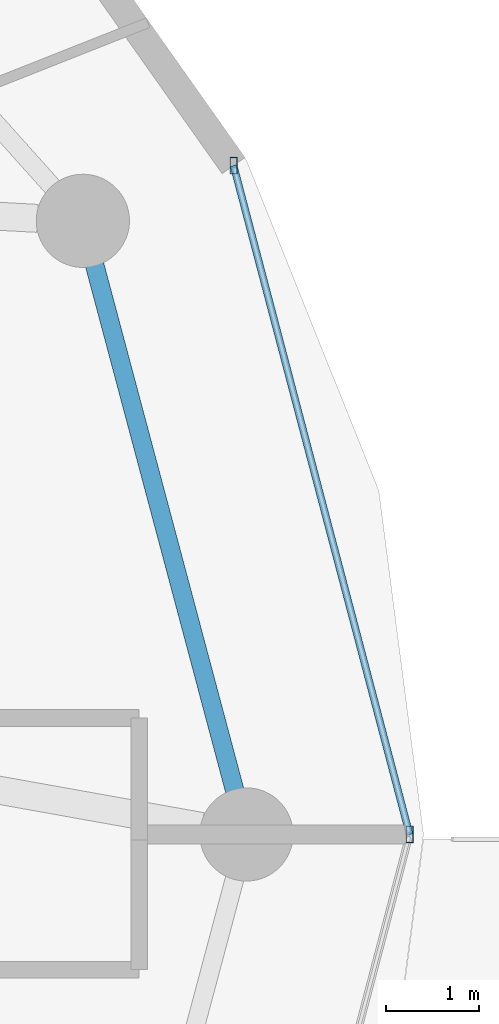
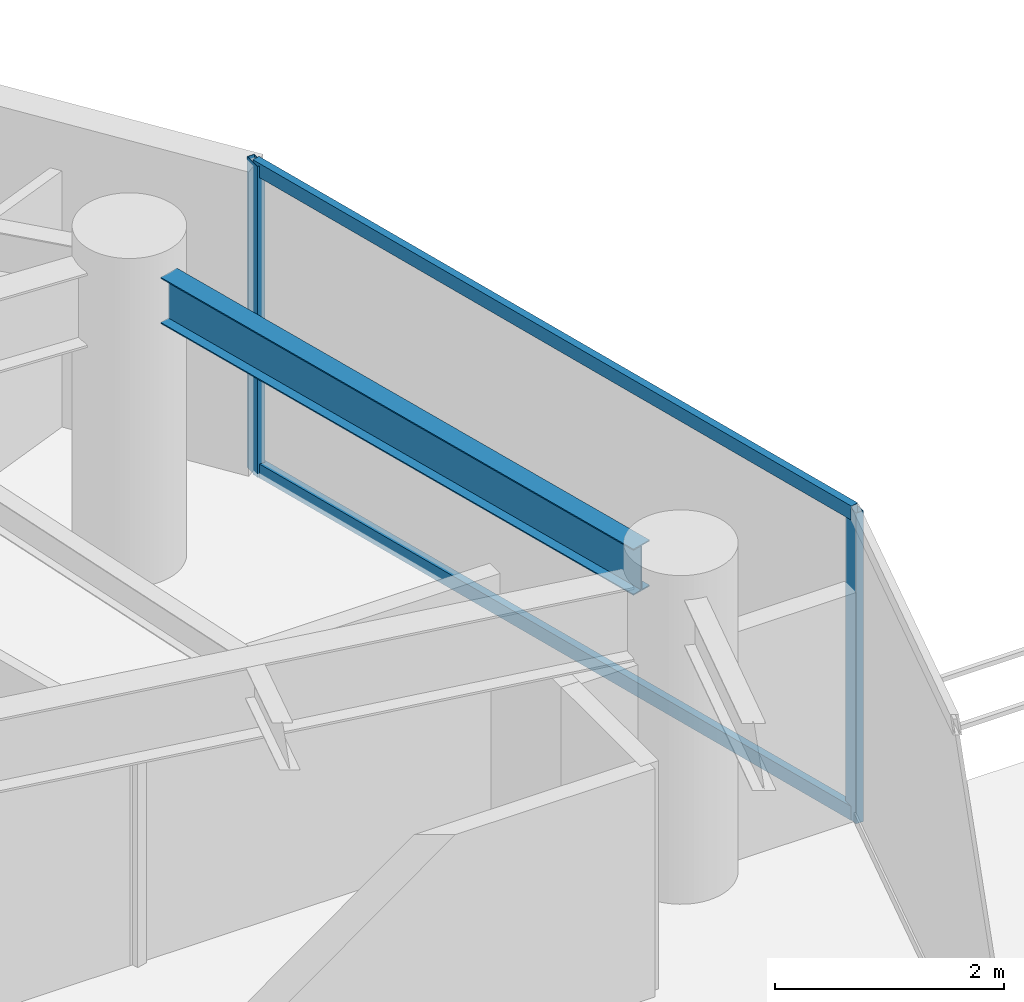
# One storey, part 16 of 31: 4 members, 1 beam, 1 element without a shape of its own.
"""IFC4 building model written with IfcOpenShell, lengths in metres."""

from ifc_helpers import new_model, si_unit, direction, frame, origin, origin_2d, place, context, subcontext, project, spatial, hollow_rectangle, i_section, extrude, material, material_profile, profile_set, type_object, element, aggregate, save


model = new_model("IFC4")

# Units and contexts
model_context = context("Model", 3, precision=1e-05, world=origin(), true_north=direction((0.0, 1.0)))
body_context = subcontext(model_context, "Body", "Model", "MODEL_VIEW")
ifc_project = project(units=[si_unit("LENGTHUNIT", "METRE"), si_unit("AREAUNIT", "SQUARE_METRE"), si_unit("VOLUMEUNIT", "CUBIC_METRE"), si_unit("PLANEANGLEUNIT", "RADIAN"), si_unit("MASSUNIT", "GRAM", prefix="KILO")], contexts=[model_context])

# Site, building, storey
site_placement = place(None, origin())
site = spatial("IfcSite", under=ifc_project, at=site_placement, CompositionType="ELEMENT")
building_placement = place(site_placement, origin())
building = spatial("IfcBuilding", under=site, at=building_placement, Name="Vorneva Point Tower", CompositionType="ELEMENT")
storey_placement = place(building_placement, frame((0.0, 0.0, 129.10009765625)))
storey = spatial("IfcBuildingStorey", under=building, at=storey_placement, Name="L34", CompositionType="ELEMENT", Elevation=129.10009765625)

# Beam
ifc_material_1 = material(Name="Steel S355", Category="steel")
ifc_material_profile_1 = material_profile(ifc_material_1, i_section(OverallWidth=0.199951171875, OverallDepth=0.491943359375, WebThickness=0.0087890625, FlangeThickness=0.011962890625, at=origin_2d()), Name="50B1")
ifc_profile_set_1 = profile_set([ifc_material_profile_1], Name="Steel S355")
beam_type = type_object("IfcBeamType", Name="BM-SPN-50B1", PredefinedType="SPANDREL", material=ifc_profile_set_1)
beam_placement = place(storey_placement, frame((60.925048828125, 26.468505859375, 2.993896484375), z_axis=(-0.257550804648, 0.966264758245, 0.0), x_axis=(-0.966264758245, -0.257550804648, 0.0)))
element("IfcBeam", 1, at=beam_placement, inside=storey, type_object=beam_type, Name="L34 Perimeter Spandrel Ring Beam 01", PredefinedType="SPANDREL", context=body_context, shape_type="SweptSolid", body=[
    extrude(i_section(OverallWidth=0.199951171875, OverallDepth=0.491943359375, WebThickness=0.0087890625, FlangeThickness=0.011962890625, at=origin_2d()), origin(), (0.0, 0.0, 1.0), 5.842041015625),
])

# Curtain wall, members
ifc_material_2 = material(Name="Pale anodised aluminium", Category="aluminium")
curtain_wall_type = type_object("IfcCurtainWallType", Name="CW-RES-SYS", PredefinedType="NOTDEFINED", material=ifc_material_2)
curtain_wall_placement = place(storey_placement, origin())
curtain_wall = element("IfcCurtainWall", 2, at=curtain_wall_placement, inside=storey, type_object=curtain_wall_type, Name="L34 Unitised Curtain Wall CW-L34-R01", PredefinedType="NOTDEFINED")
ifc_material_profile_2 = material_profile(ifc_material_2, hollow_rectangle(XDim=0.074951171875, YDim=0.179931640625, WallThickness=0.00390625, at=origin_2d()), Name="AL-MUL 180x75x4")
ifc_profile_set_2 = profile_set([ifc_material_profile_2], Name="Pale anodised aluminium")
member_type_1 = type_object("IfcMemberType", Name="CW-MUL-180", PredefinedType="MULLION", material=ifc_profile_set_2)
member_1_placement = place(storey_placement, frame((62.800048828125, 26.0, -0.0400390625), z_axis=(0.0, 0.0, 1.0), x_axis=(1.0, 0.0, 0.0)))
member_1 = element("IfcMember", 3, at=member_1_placement, type_object=member_type_1, Name="CW-L34-R01 Mullion 02", PredefinedType="MULLION", context=body_context, shape_type="SweptSolid", body=[
    extrude(hollow_rectangle(XDim=0.074951171875, YDim=0.179931640625, WallThickness=0.00390625, at=origin_2d()), origin(), (0.0, 0.0, 1.0), 3.31005859375),
])
member_2_placement = place(storey_placement, frame((60.912109375, 33.17529296875, -0.0400390625), z_axis=(0.0, 0.0, 1.0), x_axis=(1.0, 0.0, 0.0)))
member_2 = element("IfcMember", 4, at=member_2_placement, type_object=member_type_1, Name="CW-L34-R01 Mullion 03", PredefinedType="MULLION", context=body_context, shape_type="SweptSolid", body=[
    extrude(hollow_rectangle(XDim=0.074951171875, YDim=0.179931640625, WallThickness=0.00390625, at=origin_2d()), origin(), (0.0, 0.0, 1.0), 3.31005859375),
])
ifc_material_profile_3 = material_profile(ifc_material_2, hollow_rectangle(XDim=0.074951171875, YDim=0.14990234375, WallThickness=0.00390625, at=origin_2d()), Name="AL-TRN 150x75x4")
ifc_profile_set_3 = profile_set([ifc_material_profile_3], Name="Pale anodised aluminium")
member_type_2 = type_object("IfcMemberType", Name="CW-TRN-150", PredefinedType="USERDEFINED", material=ifc_profile_set_3)
member_3_placement = place(storey_placement, frame((62.800048828125, 26.0, 0.02001953125), z_axis=(-0.254456046293, 0.967084339913, 0.0), x_axis=(-0.967084339913, -0.254456046293, 0.0)))
member_3 = element("IfcMember", 5, at=member_3_placement, type_object=member_type_2, Name="CW-L34-R01 Transom 02.1", ObjectType="TRANSOM", PredefinedType="USERDEFINED", context=body_context, shape_type="SweptSolid", body=[
    extrude(hollow_rectangle(XDim=0.074951171875, YDim=0.14990234375, WallThickness=0.00390625, at=origin_2d()), origin(), (0.0, 0.0, 1.0), 7.41943359375),
])
member_4_placement = place(storey_placement, frame((62.800048828125, 26.0, 3.219970703125), z_axis=(-0.254456046293, 0.967084339913, 0.0), x_axis=(-0.967084339913, -0.254456046293, 0.0)))
member_4 = element("IfcMember", 6, at=member_4_placement, type_object=member_type_2, Name="CW-L34-R01 Transom 02.2", ObjectType="TRANSOM", PredefinedType="USERDEFINED", context=body_context, shape_type="SweptSolid", body=[
    extrude(hollow_rectangle(XDim=0.074951171875, YDim=0.14990234375, WallThickness=0.00390625, at=origin_2d()), origin(), (0.0, 0.0, 1.0), 7.41943359375),
])
aggregate(curtain_wall, [member_1, member_2, member_3, member_4])

save(model, "model.ifc")
